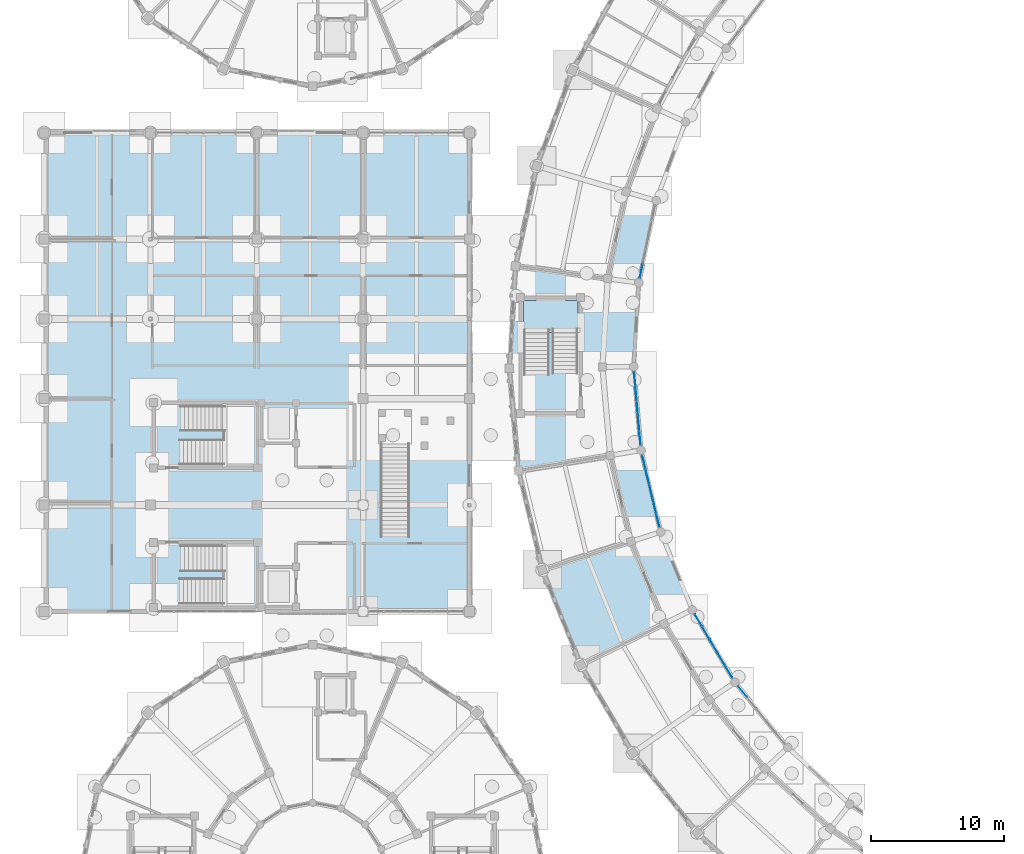
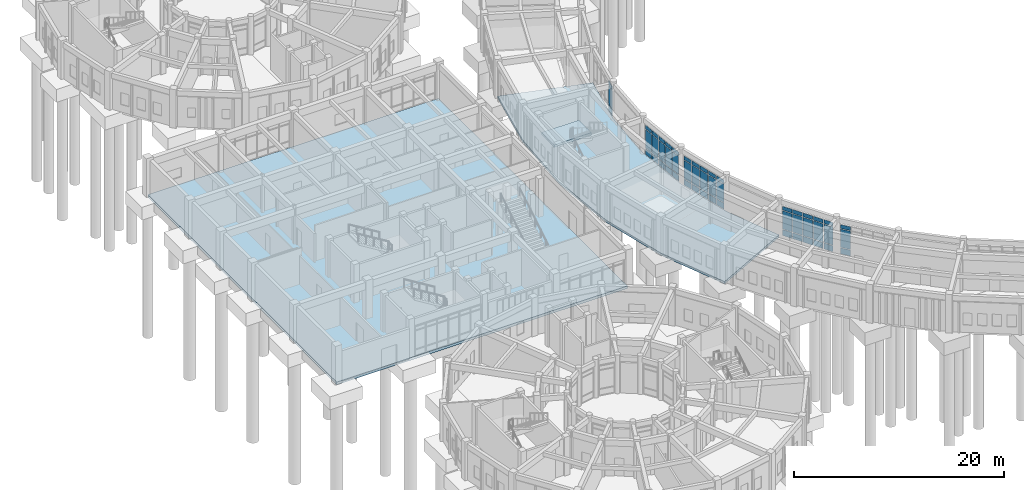
# One storey, part 104 of 153: 51 plates, 3 slabs, 6 elements without a shape of their own.
"""IFC4 building model written with IfcOpenShell, lengths in metres."""

from ifc_helpers import new_model, si_unit, direction, frame, origin, origin_2d, place, context, subcontext, project, spatial, polyline, rectangle, outline, extrude, material, layer, layer_set, type_object, element, aggregate, save


model = new_model("IFC4")

# Units and contexts
model_context = context("Model", 3, precision=1e-05, world=origin(), true_north=direction((0.0, 1.0)))
body_context = subcontext(model_context, "Body", "Model", "MODEL_VIEW")
ifc_project = project(units=[si_unit("LENGTHUNIT", "METRE"), si_unit("AREAUNIT", "SQUARE_METRE"), si_unit("VOLUMEUNIT", "CUBIC_METRE"), si_unit("PLANEANGLEUNIT", "RADIAN"), si_unit("MASSUNIT", "GRAM", prefix="KILO")], contexts=[model_context])

# Site, building, storey
site_placement = place(None, origin())
site = spatial("IfcSite", under=ifc_project, at=site_placement, CompositionType="ELEMENT")
building_placement = place(site_placement, origin())
building = spatial("IfcBuilding", under=site, at=building_placement, Name="Celadon Cloister-Ring School", CompositionType="ELEMENT")
storey_placement = place(building_placement, origin())
storey = spatial("IfcBuildingStorey", under=building, at=storey_placement, Name="L00", CompositionType="ELEMENT", Elevation=0.0)

# Curtain wall, plates
ifc_material_1 = material(Name="Aluminium EN AW-6063 T6", Category="aluminium")
curtain_wall_type = type_object("IfcCurtainWallType", Name="CW-01", PredefinedType="USERDEFINED", material=ifc_material_1)
curtain_wall_1_placement = place(storey_placement, origin())
curtain_wall_1 = element("IfcCurtainWall", 1, at=curtain_wall_1_placement, inside=storey, type_object=curtain_wall_type, Name="Curtain Wall 0003", ObjectType="CURTAIN WALL", PredefinedType="USERDEFINED")
ifc_material_2 = material(Name="Tempered laminated insulating glass", Category="glass")
ifc_layer_1 = layer(ifc_material_2, 0.028076171875)
ifc_layer_set_1 = layer_set([ifc_layer_1], Name="Tempered laminated insulating glass")
plate_type = type_object("IfcPlateType", Name="CPN-02", PredefinedType="CURTAIN_PANEL", material=ifc_layer_set_1)
plate_1_placement = place(storey_placement, frame((44.923583984375, 65.609130859375, 0.074951171875), z_axis=(0.0, 0.0, 1.0), x_axis=(-0.207094964304, -0.978320844999, 0.0)))
plate_1 = element("IfcPlate", 2, at=plate_1_placement, type_object=plate_type, Name="CW-01 panel 5.1", PredefinedType="CURTAIN_PANEL", context=body_context, shape_type="SweptSolid", body=[
    extrude(rectangle(XDim=1.013671875, YDim=0.028076171875, at=origin_2d()), origin(), (0.0, 0.0, 1.0), 0.6875),
])
plate_2_placement = place(storey_placement, frame((44.923583984375, 65.609130859375, 0.83740234375), z_axis=(0.0, 0.0, 1.0), x_axis=(-0.207094964304, -0.978320844999, 0.0)))
plate_2 = element("IfcPlate", 3, at=plate_2_placement, type_object=plate_type, Name="CW-01 panel 5.2", PredefinedType="CURTAIN_PANEL", context=body_context, shape_type="SweptSolid", body=[
    extrude(rectangle(XDim=1.013671875, YDim=0.028076171875, at=origin_2d()), origin(), (0.0, 0.0, 1.0), 2.125),
])
plate_3_placement = place(storey_placement, frame((44.923583984375, 65.609130859375, 3.03759765625), z_axis=(0.0, 0.0, 1.0), x_axis=(-0.207094964304, -0.978320844999, 0.0)))
plate_3 = element("IfcPlate", 4, at=plate_3_placement, type_object=plate_type, Name="CW-01 panel 5.3", PredefinedType="CURTAIN_PANEL", context=body_context, shape_type="SweptSolid", body=[
    extrude(rectangle(XDim=1.013671875, YDim=0.028076171875, at=origin_2d()), origin(), (0.0, 0.0, 1.0), 0.4375),
])
aggregate(curtain_wall_1, [plate_1, plate_2, plate_3])

curtain_wall_2_placement = place(storey_placement, origin())
curtain_wall_2 = element("IfcCurtainWall", 5, at=curtain_wall_2_placement, inside=storey, type_object=curtain_wall_type, Name="Curtain Wall 0004", ObjectType="CURTAIN WALL", PredefinedType="USERDEFINED")
plate_4_placement = place(storey_placement, frame((44.4345703125, 57.50146484375, 0.074951171875), z_axis=(0.0, 0.0, 1.0), x_axis=(0.087687842199, -0.996148002222, 0.0)))
plate_4 = element("IfcPlate", 6, at=plate_4_placement, type_object=plate_type, Name="CW-01 panel 1.1", PredefinedType="CURTAIN_PANEL", context=body_context, shape_type="SweptSolid", body=[
    extrude(rectangle(XDim=1.013671875, YDim=0.028076171875, at=origin_2d()), origin(), (0.0, 0.0, 1.0), 0.6875),
])
plate_5_placement = place(storey_placement, frame((44.4345703125, 57.50146484375, 0.83740234375), z_axis=(0.0, 0.0, 1.0), x_axis=(0.087687842199, -0.996148002222, 0.0)))
plate_5 = element("IfcPlate", 7, at=plate_5_placement, type_object=plate_type, Name="CW-01 panel 1.2", PredefinedType="CURTAIN_PANEL", context=body_context, shape_type="SweptSolid", body=[
    extrude(rectangle(XDim=1.013671875, YDim=0.028076171875, at=origin_2d()), origin(), (0.0, 0.0, 1.0), 2.125),
])
plate_6_placement = place(storey_placement, frame((44.4345703125, 57.50146484375, 3.03759765625), z_axis=(0.0, 0.0, 1.0), x_axis=(0.087687842199, -0.996148002222, 0.0)))
plate_6 = element("IfcPlate", 8, at=plate_6_placement, type_object=plate_type, Name="CW-01 panel 1.3", PredefinedType="CURTAIN_PANEL", context=body_context, shape_type="SweptSolid", body=[
    extrude(rectangle(XDim=1.013671875, YDim=0.028076171875, at=origin_2d()), origin(), (0.0, 0.0, 1.0), 0.4375),
])
plate_7_placement = place(storey_placement, frame((44.531982421875, 56.39208984375, 0.074951171875), z_axis=(0.0, 0.0, 1.0), x_axis=(0.087687842199, -0.996148002222, 0.0)))
plate_7 = element("IfcPlate", 9, at=plate_7_placement, type_object=plate_type, Name="CW-01 panel 2.1", PredefinedType="CURTAIN_PANEL", context=body_context, shape_type="SweptSolid", body=[
    extrude(rectangle(XDim=1.053466796875, YDim=0.028076171875, at=origin_2d()), origin(), (0.0, 0.0, 1.0), 0.6875),
])
plate_8_placement = place(storey_placement, frame((44.531982421875, 56.39208984375, 0.83740234375), z_axis=(0.0, 0.0, 1.0), x_axis=(0.087687842199, -0.996148002222, 0.0)))
plate_8 = element("IfcPlate", 10, at=plate_8_placement, type_object=plate_type, Name="CW-01 panel 2.2", PredefinedType="CURTAIN_PANEL", context=body_context, shape_type="SweptSolid", body=[
    extrude(rectangle(XDim=1.053466796875, YDim=0.028076171875, at=origin_2d()), origin(), (0.0, 0.0, 1.0), 2.125),
])
plate_9_placement = place(storey_placement, frame((44.531982421875, 56.39208984375, 3.03759765625), z_axis=(0.0, 0.0, 1.0), x_axis=(0.087687842199, -0.996148002222, 0.0)))
plate_9 = element("IfcPlate", 11, at=plate_9_placement, type_object=plate_type, Name="CW-01 panel 2.3", PredefinedType="CURTAIN_PANEL", context=body_context, shape_type="SweptSolid", body=[
    extrude(rectangle(XDim=1.053466796875, YDim=0.028076171875, at=origin_2d()), origin(), (0.0, 0.0, 1.0), 0.4375),
])
plate_10_placement = place(storey_placement, frame((44.631591796875, 55.262939453125, 0.074951171875), z_axis=(0.0, 0.0, 1.0), x_axis=(0.087687842199, -0.996148002222, 0.0)))
plate_10 = element("IfcPlate", 12, at=plate_10_placement, type_object=plate_type, Name="CW-01 panel 3.1", PredefinedType="CURTAIN_PANEL", context=body_context, shape_type="SweptSolid", body=[
    extrude(rectangle(XDim=1.053466796875, YDim=0.028076171875, at=origin_2d()), origin(), (0.0, 0.0, 1.0), 0.6875),
])
plate_11_placement = place(storey_placement, frame((44.631591796875, 55.262939453125, 0.83740234375), z_axis=(0.0, 0.0, 1.0), x_axis=(0.087687842199, -0.996148002222, 0.0)))
plate_11 = element("IfcPlate", 13, at=plate_11_placement, type_object=plate_type, Name="CW-01 panel 3.2", PredefinedType="CURTAIN_PANEL", context=body_context, shape_type="SweptSolid", body=[
    extrude(rectangle(XDim=1.053466796875, YDim=0.028076171875, at=origin_2d()), origin(), (0.0, 0.0, 1.0), 2.125),
])
plate_12_placement = place(storey_placement, frame((44.631591796875, 55.262939453125, 3.03759765625), z_axis=(0.0, 0.0, 1.0), x_axis=(0.087687842199, -0.996148002222, 0.0)))
plate_12 = element("IfcPlate", 14, at=plate_12_placement, type_object=plate_type, Name="CW-01 panel 3.3", PredefinedType="CURTAIN_PANEL", context=body_context, shape_type="SweptSolid", body=[
    extrude(rectangle(XDim=1.053466796875, YDim=0.028076171875, at=origin_2d()), origin(), (0.0, 0.0, 1.0), 0.4375),
])
plate_13_placement = place(storey_placement, frame((44.73095703125, 54.1337890625, 0.074951171875), z_axis=(0.0, 0.0, 1.0), x_axis=(0.087687842199, -0.996148002222, 0.0)))
plate_13 = element("IfcPlate", 15, at=plate_13_placement, type_object=plate_type, Name="CW-01 panel 4.1", PredefinedType="CURTAIN_PANEL", context=body_context, shape_type="SweptSolid", body=[
    extrude(rectangle(XDim=1.053466796875, YDim=0.028076171875, at=origin_2d()), origin(), (0.0, 0.0, 1.0), 0.6875),
])
plate_14_placement = place(storey_placement, frame((44.73095703125, 54.1337890625, 0.83740234375), z_axis=(0.0, 0.0, 1.0), x_axis=(0.087687842199, -0.996148002222, 0.0)))
plate_14 = element("IfcPlate", 16, at=plate_14_placement, type_object=plate_type, Name="CW-01 panel 4.2", PredefinedType="CURTAIN_PANEL", context=body_context, shape_type="SweptSolid", body=[
    extrude(rectangle(XDim=1.053466796875, YDim=0.028076171875, at=origin_2d()), origin(), (0.0, 0.0, 1.0), 2.125),
])
plate_15_placement = place(storey_placement, frame((44.73095703125, 54.1337890625, 3.03759765625), z_axis=(0.0, 0.0, 1.0), x_axis=(0.087687842199, -0.996148002222, 0.0)))
plate_15 = element("IfcPlate", 17, at=plate_15_placement, type_object=plate_type, Name="CW-01 panel 4.3", PredefinedType="CURTAIN_PANEL", context=body_context, shape_type="SweptSolid", body=[
    extrude(rectangle(XDim=1.053466796875, YDim=0.028076171875, at=origin_2d()), origin(), (0.0, 0.0, 1.0), 0.4375),
])
plate_16_placement = place(storey_placement, frame((44.82861328125, 53.0244140625, 0.074951171875), z_axis=(0.0, 0.0, 1.0), x_axis=(0.087687842199, -0.996148002222, 0.0)))
plate_16 = element("IfcPlate", 18, at=plate_16_placement, type_object=plate_type, Name="CW-01 panel 5.1", PredefinedType="CURTAIN_PANEL", context=body_context, shape_type="SweptSolid", body=[
    extrude(rectangle(XDim=1.013671875, YDim=0.028076171875, at=origin_2d()), origin(), (0.0, 0.0, 1.0), 0.6875),
])
plate_17_placement = place(storey_placement, frame((44.82861328125, 53.0244140625, 0.83740234375), z_axis=(0.0, 0.0, 1.0), x_axis=(0.087687842199, -0.996148002222, 0.0)))
plate_17 = element("IfcPlate", 19, at=plate_17_placement, type_object=plate_type, Name="CW-01 panel 5.2", PredefinedType="CURTAIN_PANEL", context=body_context, shape_type="SweptSolid", body=[
    extrude(rectangle(XDim=1.013671875, YDim=0.028076171875, at=origin_2d()), origin(), (0.0, 0.0, 1.0), 2.125),
])
plate_18_placement = place(storey_placement, frame((44.82861328125, 53.0244140625, 3.03759765625), z_axis=(0.0, 0.0, 1.0), x_axis=(0.087687842199, -0.996148002222, 0.0)))
plate_18 = element("IfcPlate", 20, at=plate_18_placement, type_object=plate_type, Name="CW-01 panel 5.3", PredefinedType="CURTAIN_PANEL", context=body_context, shape_type="SweptSolid", body=[
    extrude(rectangle(XDim=1.013671875, YDim=0.028076171875, at=origin_2d()), origin(), (0.0, 0.0, 1.0), 0.4375),
])
aggregate(curtain_wall_2, [plate_4, plate_5, plate_6, plate_7, plate_8, plate_9, plate_10, plate_11, plate_12, plate_13, plate_14, plate_15, plate_16, plate_17, plate_18])

curtain_wall_3_placement = place(storey_placement, origin())
curtain_wall_3 = element("IfcCurtainWall", 21, at=curtain_wall_3_placement, inside=storey, type_object=curtain_wall_type, Name="Curtain Wall 0005", ObjectType="CURTAIN WALL", PredefinedType="USERDEFINED")
plate_19_placement = place(storey_placement, frame((45.122314453125, 51.2294921875, 0.074951171875), z_axis=(0.0, 0.0, 1.0), x_axis=(0.234100157469, -0.972212485146, 0.0)))
plate_19 = element("IfcPlate", 22, at=plate_19_placement, type_object=plate_type, Name="CW-01 panel 1.1", PredefinedType="CURTAIN_PANEL", context=body_context, shape_type="SweptSolid", body=[
    extrude(rectangle(XDim=1.013671875, YDim=0.028076171875, at=origin_2d()), origin(), (0.0, 0.0, 1.0), 0.6875),
])
plate_20_placement = place(storey_placement, frame((45.122314453125, 51.2294921875, 0.83740234375), z_axis=(0.0, 0.0, 1.0), x_axis=(0.234100157469, -0.972212485146, 0.0)))
plate_20 = element("IfcPlate", 23, at=plate_20_placement, type_object=plate_type, Name="CW-01 panel 1.2", PredefinedType="CURTAIN_PANEL", context=body_context, shape_type="SweptSolid", body=[
    extrude(rectangle(XDim=1.013671875, YDim=0.028076171875, at=origin_2d()), origin(), (0.0, 0.0, 1.0), 2.125),
])
plate_21_placement = place(storey_placement, frame((45.122314453125, 51.2294921875, 3.03759765625), z_axis=(0.0, 0.0, 1.0), x_axis=(0.234100157469, -0.972212485146, 0.0)))
plate_21 = element("IfcPlate", 24, at=plate_21_placement, type_object=plate_type, Name="CW-01 panel 1.3", PredefinedType="CURTAIN_PANEL", context=body_context, shape_type="SweptSolid", body=[
    extrude(rectangle(XDim=1.013671875, YDim=0.028076171875, at=origin_2d()), origin(), (0.0, 0.0, 1.0), 0.4375),
])
plate_22_placement = place(storey_placement, frame((45.383056640625, 50.146728515625, 0.074951171875), z_axis=(0.0, 0.0, 1.0), x_axis=(0.234100157469, -0.972212485146, 0.0)))
plate_22 = element("IfcPlate", 25, at=plate_22_placement, type_object=plate_type, Name="CW-01 panel 2.1", PredefinedType="CURTAIN_PANEL", context=body_context, shape_type="SweptSolid", body=[
    extrude(rectangle(XDim=1.0537109375, YDim=0.028076171875, at=origin_2d()), origin(), (0.0, 0.0, 1.0), 0.6875),
])
plate_23_placement = place(storey_placement, frame((45.383056640625, 50.146728515625, 0.83740234375), z_axis=(0.0, 0.0, 1.0), x_axis=(0.234100157469, -0.972212485146, 0.0)))
plate_23 = element("IfcPlate", 26, at=plate_23_placement, type_object=plate_type, Name="CW-01 panel 2.2", PredefinedType="CURTAIN_PANEL", context=body_context, shape_type="SweptSolid", body=[
    extrude(rectangle(XDim=1.0537109375, YDim=0.028076171875, at=origin_2d()), origin(), (0.0, 0.0, 1.0), 2.125),
])
plate_24_placement = place(storey_placement, frame((45.383056640625, 50.146728515625, 3.03759765625), z_axis=(0.0, 0.0, 1.0), x_axis=(0.234100157469, -0.972212485146, 0.0)))
plate_24 = element("IfcPlate", 27, at=plate_24_placement, type_object=plate_type, Name="CW-01 panel 2.3", PredefinedType="CURTAIN_PANEL", context=body_context, shape_type="SweptSolid", body=[
    extrude(rectangle(XDim=1.0537109375, YDim=0.028076171875, at=origin_2d()), origin(), (0.0, 0.0, 1.0), 0.4375),
])
plate_25_placement = place(storey_placement, frame((45.6484375, 49.04443359375, 0.074951171875), z_axis=(0.0, 0.0, 1.0), x_axis=(0.234100157469, -0.972212485146, 0.0)))
plate_25 = element("IfcPlate", 28, at=plate_25_placement, type_object=plate_type, Name="CW-01 panel 3.1", PredefinedType="CURTAIN_PANEL", context=body_context, shape_type="SweptSolid", body=[
    extrude(rectangle(XDim=1.0537109375, YDim=0.028076171875, at=origin_2d()), origin(), (0.0, 0.0, 1.0), 0.6875),
])
plate_26_placement = place(storey_placement, frame((45.6484375, 49.04443359375, 0.83740234375), z_axis=(0.0, 0.0, 1.0), x_axis=(0.234100157469, -0.972212485146, 0.0)))
plate_26 = element("IfcPlate", 29, at=plate_26_placement, type_object=plate_type, Name="CW-01 panel 3.2", PredefinedType="CURTAIN_PANEL", context=body_context, shape_type="SweptSolid", body=[
    extrude(rectangle(XDim=1.0537109375, YDim=0.028076171875, at=origin_2d()), origin(), (0.0, 0.0, 1.0), 2.125),
])
plate_27_placement = place(storey_placement, frame((45.6484375, 49.04443359375, 3.03759765625), z_axis=(0.0, 0.0, 1.0), x_axis=(0.234100157469, -0.972212485146, 0.0)))
plate_27 = element("IfcPlate", 30, at=plate_27_placement, type_object=plate_type, Name="CW-01 panel 3.3", PredefinedType="CURTAIN_PANEL", context=body_context, shape_type="SweptSolid", body=[
    extrude(rectangle(XDim=1.0537109375, YDim=0.028076171875, at=origin_2d()), origin(), (0.0, 0.0, 1.0), 0.4375),
])
plate_28_placement = place(storey_placement, frame((45.913818359375, 47.9423828125, 0.074951171875), z_axis=(0.0, 0.0, 1.0), x_axis=(0.234100157469, -0.972212485146, 0.0)))
plate_28 = element("IfcPlate", 31, at=plate_28_placement, type_object=plate_type, Name="CW-01 panel 4.1", PredefinedType="CURTAIN_PANEL", context=body_context, shape_type="SweptSolid", body=[
    extrude(rectangle(XDim=1.0537109375, YDim=0.028076171875, at=origin_2d()), origin(), (0.0, 0.0, 1.0), 0.6875),
])
plate_29_placement = place(storey_placement, frame((45.913818359375, 47.9423828125, 0.83740234375), z_axis=(0.0, 0.0, 1.0), x_axis=(0.234100157469, -0.972212485146, 0.0)))
plate_29 = element("IfcPlate", 32, at=plate_29_placement, type_object=plate_type, Name="CW-01 panel 4.2", PredefinedType="CURTAIN_PANEL", context=body_context, shape_type="SweptSolid", body=[
    extrude(rectangle(XDim=1.0537109375, YDim=0.028076171875, at=origin_2d()), origin(), (0.0, 0.0, 1.0), 2.125),
])
plate_30_placement = place(storey_placement, frame((45.913818359375, 47.9423828125, 3.03759765625), z_axis=(0.0, 0.0, 1.0), x_axis=(0.234100157469, -0.972212485146, 0.0)))
plate_30 = element("IfcPlate", 33, at=plate_30_placement, type_object=plate_type, Name="CW-01 panel 4.3", PredefinedType="CURTAIN_PANEL", context=body_context, shape_type="SweptSolid", body=[
    extrude(rectangle(XDim=1.0537109375, YDim=0.028076171875, at=origin_2d()), origin(), (0.0, 0.0, 1.0), 0.4375),
])
plate_31_placement = place(storey_placement, frame((46.174560546875, 46.859619140625, 0.074951171875), z_axis=(0.0, 0.0, 1.0), x_axis=(0.234100157469, -0.972212485146, 0.0)))
plate_31 = element("IfcPlate", 34, at=plate_31_placement, type_object=plate_type, Name="CW-01 panel 5.1", PredefinedType="CURTAIN_PANEL", context=body_context, shape_type="SweptSolid", body=[
    extrude(rectangle(XDim=1.013671875, YDim=0.028076171875, at=origin_2d()), origin(), (0.0, 0.0, 1.0), 0.6875),
])
plate_32_placement = place(storey_placement, frame((46.174560546875, 46.859619140625, 0.83740234375), z_axis=(0.0, 0.0, 1.0), x_axis=(0.234100157469, -0.972212485146, 0.0)))
plate_32 = element("IfcPlate", 35, at=plate_32_placement, type_object=plate_type, Name="CW-01 panel 5.2", PredefinedType="CURTAIN_PANEL", context=body_context, shape_type="SweptSolid", body=[
    extrude(rectangle(XDim=1.013671875, YDim=0.028076171875, at=origin_2d()), origin(), (0.0, 0.0, 1.0), 2.125),
])
plate_33_placement = place(storey_placement, frame((46.174560546875, 46.859619140625, 3.03759765625), z_axis=(0.0, 0.0, 1.0), x_axis=(0.234100157469, -0.972212485146, 0.0)))
plate_33 = element("IfcPlate", 36, at=plate_33_placement, type_object=plate_type, Name="CW-01 panel 5.3", PredefinedType="CURTAIN_PANEL", context=body_context, shape_type="SweptSolid", body=[
    extrude(rectangle(XDim=1.013671875, YDim=0.028076171875, at=origin_2d()), origin(), (0.0, 0.0, 1.0), 0.4375),
])
aggregate(curtain_wall_3, [plate_19, plate_20, plate_21, plate_22, plate_23, plate_24, plate_25, plate_26, plate_27, plate_28, plate_29, plate_30, plate_31, plate_32, plate_33])

curtain_wall_4_placement = place(storey_placement, origin())
curtain_wall_4 = element("IfcCurtainWall", 37, at=curtain_wall_4_placement, inside=storey, type_object=curtain_wall_type, Name="Curtain Wall 0006", ObjectType="CURTAIN WALL", PredefinedType="USERDEFINED")
plate_34_placement = place(storey_placement, frame((49.22119140625, 39.33056640625, 0.074951171875), z_axis=(0.0, 0.0, 1.0), x_axis=(0.508099131243, -0.861298596788, 0.0)))
plate_34 = element("IfcPlate", 38, at=plate_34_placement, type_object=plate_type, Name="CW-01 panel 1.1", PredefinedType="CURTAIN_PANEL", context=body_context, shape_type="SweptSolid", body=[
    extrude(rectangle(XDim=1.013671875, YDim=0.028076171875, at=origin_2d()), origin(), (0.0, 0.0, 1.0), 0.6875),
])
plate_35_placement = place(storey_placement, frame((49.22119140625, 39.33056640625, 0.83740234375), z_axis=(0.0, 0.0, 1.0), x_axis=(0.508099131243, -0.861298596788, 0.0)))
plate_35 = element("IfcPlate", 39, at=plate_35_placement, type_object=plate_type, Name="CW-01 panel 1.2", PredefinedType="CURTAIN_PANEL", context=body_context, shape_type="SweptSolid", body=[
    extrude(rectangle(XDim=1.013671875, YDim=0.028076171875, at=origin_2d()), origin(), (0.0, 0.0, 1.0), 2.125),
])
plate_36_placement = place(storey_placement, frame((49.22119140625, 39.33056640625, 3.03759765625), z_axis=(0.0, 0.0, 1.0), x_axis=(0.508099131243, -0.861298596788, 0.0)))
plate_36 = element("IfcPlate", 40, at=plate_36_placement, type_object=plate_type, Name="CW-01 panel 1.3", PredefinedType="CURTAIN_PANEL", context=body_context, shape_type="SweptSolid", body=[
    extrude(rectangle(XDim=1.013671875, YDim=0.028076171875, at=origin_2d()), origin(), (0.0, 0.0, 1.0), 0.4375),
])
plate_37_placement = place(storey_placement, frame((49.787109375, 38.371337890625, 0.074951171875), z_axis=(0.0, 0.0, 1.0), x_axis=(0.508099131243, -0.861298596788, 0.0)))
plate_37 = element("IfcPlate", 41, at=plate_37_placement, type_object=plate_type, Name="CW-01 panel 2.1", PredefinedType="CURTAIN_PANEL", context=body_context, shape_type="SweptSolid", body=[
    extrude(rectangle(XDim=1.0537109375, YDim=0.028076171875, at=origin_2d()), origin(), (0.0, 0.0, 1.0), 0.6875),
])
plate_38_placement = place(storey_placement, frame((49.787109375, 38.371337890625, 0.83740234375), z_axis=(0.0, 0.0, 1.0), x_axis=(0.508099131243, -0.861298596788, 0.0)))
plate_38 = element("IfcPlate", 42, at=plate_38_placement, type_object=plate_type, Name="CW-01 panel 2.2", PredefinedType="CURTAIN_PANEL", context=body_context, shape_type="SweptSolid", body=[
    extrude(rectangle(XDim=1.0537109375, YDim=0.028076171875, at=origin_2d()), origin(), (0.0, 0.0, 1.0), 2.125),
])
plate_39_placement = place(storey_placement, frame((49.787109375, 38.371337890625, 3.03759765625), z_axis=(0.0, 0.0, 1.0), x_axis=(0.508099131243, -0.861298596788, 0.0)))
plate_39 = element("IfcPlate", 43, at=plate_39_placement, type_object=plate_type, Name="CW-01 panel 2.3", PredefinedType="CURTAIN_PANEL", context=body_context, shape_type="SweptSolid", body=[
    extrude(rectangle(XDim=1.0537109375, YDim=0.028076171875, at=origin_2d()), origin(), (0.0, 0.0, 1.0), 0.4375),
])
plate_40_placement = place(storey_placement, frame((50.363037109375, 37.39501953125, 0.074951171875), z_axis=(0.0, 0.0, 1.0), x_axis=(0.508099131243, -0.861298596788, 0.0)))
plate_40 = element("IfcPlate", 44, at=plate_40_placement, type_object=plate_type, Name="CW-01 panel 3.1", PredefinedType="CURTAIN_PANEL", context=body_context, shape_type="SweptSolid", body=[
    extrude(rectangle(XDim=1.0537109375, YDim=0.028076171875, at=origin_2d()), origin(), (0.0, 0.0, 1.0), 0.6875),
])
plate_41_placement = place(storey_placement, frame((50.363037109375, 37.39501953125, 0.83740234375), z_axis=(0.0, 0.0, 1.0), x_axis=(0.508099131243, -0.861298596788, 0.0)))
plate_41 = element("IfcPlate", 45, at=plate_41_placement, type_object=plate_type, Name="CW-01 panel 3.2", PredefinedType="CURTAIN_PANEL", context=body_context, shape_type="SweptSolid", body=[
    extrude(rectangle(XDim=1.0537109375, YDim=0.028076171875, at=origin_2d()), origin(), (0.0, 0.0, 1.0), 2.125),
])
plate_42_placement = place(storey_placement, frame((50.363037109375, 37.39501953125, 3.03759765625), z_axis=(0.0, 0.0, 1.0), x_axis=(0.508099131243, -0.861298596788, 0.0)))
plate_42 = element("IfcPlate", 46, at=plate_42_placement, type_object=plate_type, Name="CW-01 panel 3.3", PredefinedType="CURTAIN_PANEL", context=body_context, shape_type="SweptSolid", body=[
    extrude(rectangle(XDim=1.0537109375, YDim=0.028076171875, at=origin_2d()), origin(), (0.0, 0.0, 1.0), 0.4375),
])
plate_43_placement = place(storey_placement, frame((50.93896484375, 36.418701171875, 0.074951171875), z_axis=(0.0, 0.0, 1.0), x_axis=(0.508099131243, -0.861298596788, 0.0)))
plate_43 = element("IfcPlate", 47, at=plate_43_placement, type_object=plate_type, Name="CW-01 panel 4.1", PredefinedType="CURTAIN_PANEL", context=body_context, shape_type="SweptSolid", body=[
    extrude(rectangle(XDim=1.0537109375, YDim=0.028076171875, at=origin_2d()), origin(), (0.0, 0.0, 1.0), 0.6875),
])
plate_44_placement = place(storey_placement, frame((50.93896484375, 36.418701171875, 0.83740234375), z_axis=(0.0, 0.0, 1.0), x_axis=(0.508099131243, -0.861298596788, 0.0)))
plate_44 = element("IfcPlate", 48, at=plate_44_placement, type_object=plate_type, Name="CW-01 panel 4.2", PredefinedType="CURTAIN_PANEL", context=body_context, shape_type="SweptSolid", body=[
    extrude(rectangle(XDim=1.0537109375, YDim=0.028076171875, at=origin_2d()), origin(), (0.0, 0.0, 1.0), 2.125),
])
plate_45_placement = place(storey_placement, frame((50.93896484375, 36.418701171875, 3.03759765625), z_axis=(0.0, 0.0, 1.0), x_axis=(0.508099131243, -0.861298596788, 0.0)))
plate_45 = element("IfcPlate", 49, at=plate_45_placement, type_object=plate_type, Name="CW-01 panel 4.3", PredefinedType="CURTAIN_PANEL", context=body_context, shape_type="SweptSolid", body=[
    extrude(rectangle(XDim=1.0537109375, YDim=0.028076171875, at=origin_2d()), origin(), (0.0, 0.0, 1.0), 0.4375),
])
plate_46_placement = place(storey_placement, frame((51.5048828125, 35.45947265625, 0.074951171875), z_axis=(0.0, 0.0, 1.0), x_axis=(0.508099131243, -0.861298596788, 0.0)))
plate_46 = element("IfcPlate", 50, at=plate_46_placement, type_object=plate_type, Name="CW-01 panel 5.1", PredefinedType="CURTAIN_PANEL", context=body_context, shape_type="SweptSolid", body=[
    extrude(rectangle(XDim=1.013671875, YDim=0.028076171875, at=origin_2d()), origin(), (0.0, 0.0, 1.0), 0.6875),
])
plate_47_placement = place(storey_placement, frame((51.5048828125, 35.45947265625, 0.83740234375), z_axis=(0.0, 0.0, 1.0), x_axis=(0.508099131243, -0.861298596788, 0.0)))
plate_47 = element("IfcPlate", 51, at=plate_47_placement, type_object=plate_type, Name="CW-01 panel 5.2", PredefinedType="CURTAIN_PANEL", context=body_context, shape_type="SweptSolid", body=[
    extrude(rectangle(XDim=1.013671875, YDim=0.028076171875, at=origin_2d()), origin(), (0.0, 0.0, 1.0), 2.125),
])
plate_48_placement = place(storey_placement, frame((51.5048828125, 35.45947265625, 3.03759765625), z_axis=(0.0, 0.0, 1.0), x_axis=(0.508099131243, -0.861298596788, 0.0)))
plate_48 = element("IfcPlate", 52, at=plate_48_placement, type_object=plate_type, Name="CW-01 panel 5.3", PredefinedType="CURTAIN_PANEL", context=body_context, shape_type="SweptSolid", body=[
    extrude(rectangle(XDim=1.013671875, YDim=0.028076171875, at=origin_2d()), origin(), (0.0, 0.0, 1.0), 0.4375),
])
aggregate(curtain_wall_4, [plate_34, plate_35, plate_36, plate_37, plate_38, plate_39, plate_40, plate_41, plate_42, plate_43, plate_44, plate_45, plate_46, plate_47, plate_48])

curtain_wall_5_placement = place(storey_placement, origin())
curtain_wall_5 = element("IfcCurtainWall", 53, at=curtain_wall_5_placement, inside=storey, type_object=curtain_wall_type, Name="Curtain Wall 0007", ObjectType="CURTAIN WALL", PredefinedType="USERDEFINED")
plate_49_placement = place(storey_placement, frame((52.54248046875, 33.966064453125, 0.074951171875), z_axis=(0.0, 0.0, 1.0), x_axis=(0.629416415615, -0.777068192474, 0.0)))
plate_49 = element("IfcPlate", 54, at=plate_49_placement, type_object=plate_type, Name="CW-01 panel 1.1", PredefinedType="CURTAIN_PANEL", context=body_context, shape_type="SweptSolid", body=[
    extrude(rectangle(XDim=1.013671875, YDim=0.028076171875, at=origin_2d()), origin(), (0.0, 0.0, 1.0), 0.6875),
])
plate_50_placement = place(storey_placement, frame((52.54248046875, 33.966064453125, 0.83740234375), z_axis=(0.0, 0.0, 1.0), x_axis=(0.629416415615, -0.777068192474, 0.0)))
plate_50 = element("IfcPlate", 55, at=plate_50_placement, type_object=plate_type, Name="CW-01 panel 1.2", PredefinedType="CURTAIN_PANEL", context=body_context, shape_type="SweptSolid", body=[
    extrude(rectangle(XDim=1.013671875, YDim=0.028076171875, at=origin_2d()), origin(), (0.0, 0.0, 1.0), 2.125),
])
plate_51_placement = place(storey_placement, frame((52.54248046875, 33.966064453125, 3.03759765625), z_axis=(0.0, 0.0, 1.0), x_axis=(0.629416415615, -0.777068192474, 0.0)))
plate_51 = element("IfcPlate", 56, at=plate_51_placement, type_object=plate_type, Name="CW-01 panel 1.3", PredefinedType="CURTAIN_PANEL", context=body_context, shape_type="SweptSolid", body=[
    extrude(rectangle(XDim=1.013671875, YDim=0.028076171875, at=origin_2d()), origin(), (0.0, 0.0, 1.0), 0.4375),
])
aggregate(curtain_wall_5, [plate_49, plate_50, plate_51])

# Slabs
ifc_material_3 = material(Name="Concrete C35/45", Category="concrete")
ifc_layer_2 = layer(ifc_material_3, 0.260009765625)
ifc_layer_set_2 = layer_set([ifc_layer_2], Name="Concrete C35/45")
slab_type_1 = type_object("IfcSlabType", Name="SL-BS1", PredefinedType="BASESLAB", material=ifc_layer_set_2)
slab_1_placement = place(storey_placement, frame((0.0, 0.0, -0.260009765625)))
element("IfcSlab", 57, at=slab_1_placement, inside=storey, type_object=slab_type_1, Name="Ring L00 Sector 0002", PredefinedType="BASESLAB", context=body_context, shape_type="SweptSolid", body=[
    extrude(outline(polyline([(37.06494140625, 73.508056640625), (35.468994140625, 65.970947265625), (35.0048828125, 58.281005859375), (35.681884765625, 50.60693359375), (37.485107421875, 43.117919921875), (40.375, 35.97705078125), (48.758056640625, 40.115966796875), (46.387939453125, 45.972900390625), (44.908935546875, 52.115966796875), (44.35400390625, 58.409912109375), (44.735107421875, 64.717041015625), (46.04296875, 70.89892578125), (37.06494140625, 73.508056640625)])), origin(), (0.0, 0.0, 1.0), 0.260009765625),
])
ifc_material_4 = material(Name="Concrete C35/45", Category="concrete")
ifc_layer_3 = layer(ifc_material_4, 0.300048828125)
ifc_layer_set_3 = layer_set([ifc_layer_3], Name="Concrete C35/45")
slab_type_2 = type_object("IfcSlabType", Name="SL-BS3", PredefinedType="BASESLAB", material=ifc_layer_set_3)
slab_2_placement = place(storey_placement, frame((0.0, 0.0, -0.300048828125)))
element("IfcSlab", 58, at=slab_2_placement, inside=storey, type_object=slab_type_2, Name="Science Wing L00 Slab 0070", PredefinedType="BASESLAB", context=body_context, shape_type="SweptSolid", body=[
    extrude(outline(polyline([(0.0, 40.0), (32.0, 40.0), (32.0, 76.0), (0.0, 76.0), (0.0, 40.0)])), origin(), (0.0, 0.0, 1.0), 0.300048828125),
])

# Stair, slab
ifc_material_5 = material(Name="Concrete C35/45", Category="concrete")
stair_type = type_object("IfcStairType", Name="ST-03", PredefinedType="HALF_TURN_STAIR", material=ifc_material_5)
stair_placement = place(storey_placement, origin())
stair = element("IfcStair", 59, at=stair_placement, inside=storey, type_object=stair_type, Name="Exit Stair ST-V1W L00", PredefinedType="HALF_TURN_STAIR")
ifc_material_6 = material(Name="Concrete C35/45", Category="concrete")
ifc_layer_4 = layer(ifc_material_6, 0.300048828125)
ifc_layer_set_4 = layer_set([ifc_layer_4], Name="Concrete C35/45")
slab_type_3 = type_object("IfcSlabType", Name="SL-LD2", PredefinedType="LANDING", material=ifc_layer_set_4)
slab_3_placement = place(storey_placement, frame((0.0, 0.0, 1.949951171875)))
slab_3 = element("IfcSlab", 60, at=slab_3_placement, type_object=slab_type_3, Name="ST-03 landing 1", PredefinedType="LANDING", context=body_context, shape_type="SweptSolid", body=[
    extrude(outline(polyline([(36.070068359375, 60.9951171875), (40.14990234375, 60.9951171875), (40.14990234375, 63.39990234375), (36.070068359375, 63.39990234375), (36.070068359375, 60.9951171875)])), origin(), (0.0, 0.0, 1.0), 0.300048828125),
])
aggregate(stair, [slab_3])

save(model, "model.ifc")
